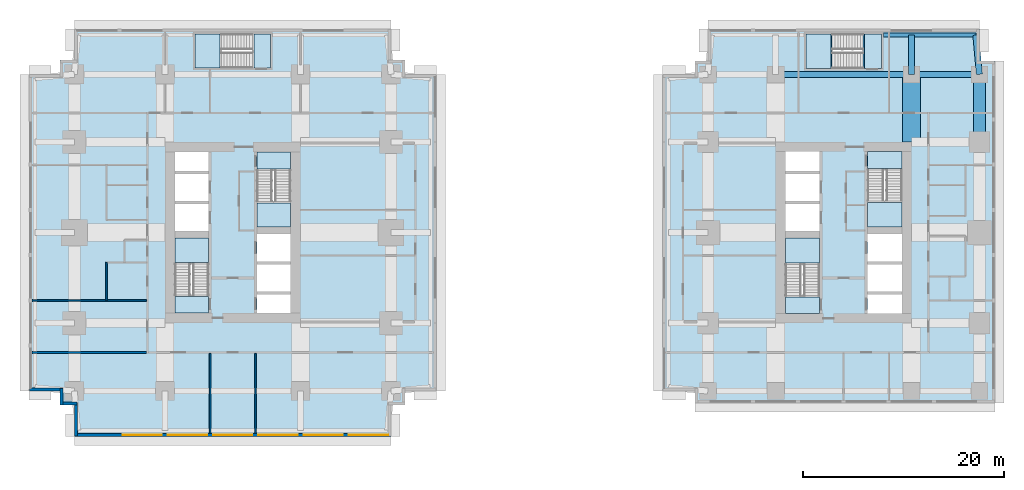
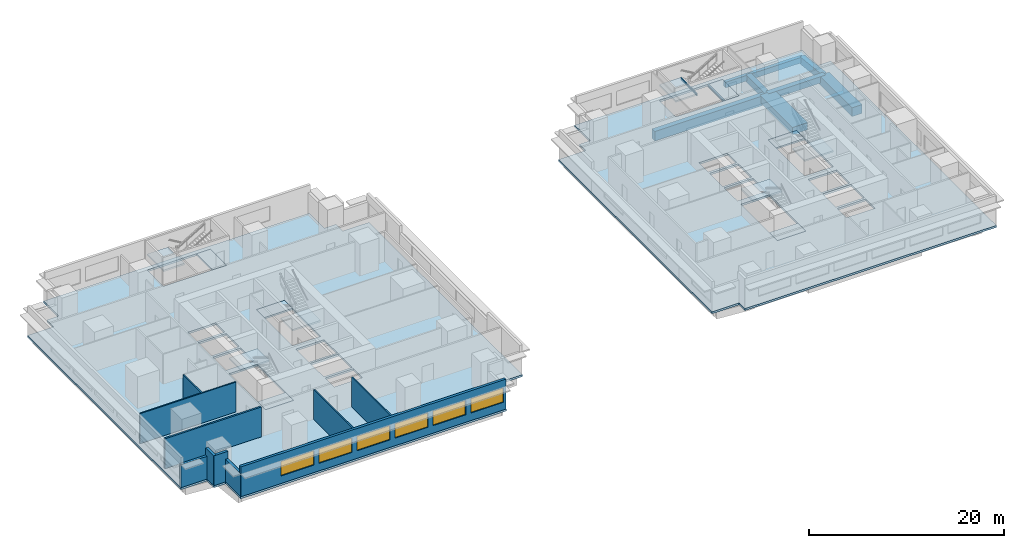
# One storey, part 2 of 11: 14 slabs, 10 walls, 9 beams, 6 windows, 6 openings, 6 elements without a shape of their own.
"""IFC4 building model written with IfcOpenShell, lengths in metres."""

from ifc_helpers import new_model, si_unit, direction, frame, frame_2d, origin, origin_2d, place, context, subcontext, project, spatial, polyline, rectangle, i_section, outline, extrude, material, layer, layer_set, material_profile, profile_set, type_object, element, fill, aggregate, save


model = new_model("IFC4")

# Units and contexts
model_context = context("Model", 3, precision=1e-05, world=origin(), true_north=direction((0.0, 1.0)))
body_context = subcontext(model_context, "Body", "Model", "MODEL_VIEW")
ifc_project = project(units=[si_unit("LENGTHUNIT", "METRE"), si_unit("AREAUNIT", "SQUARE_METRE"), si_unit("VOLUMEUNIT", "CUBIC_METRE"), si_unit("PLANEANGLEUNIT", "RADIAN"), si_unit("MASSUNIT", "GRAM", prefix="KILO")], contexts=[model_context])

# Site, building, storey
site_placement = place(None, origin())
site = spatial("IfcSite", under=ifc_project, at=site_placement, CompositionType="ELEMENT")
building_placement = place(site_placement, origin())
building = spatial("IfcBuilding", under=site, at=building_placement, Name="Namib Vertical Campus", CompositionType="ELEMENT")
storey_placement = place(building_placement, frame((0.0, 0.0, 101.0)))
storey = spatial("IfcBuildingStorey", under=building, at=storey_placement, Name="L23", CompositionType="ELEMENT", Elevation=101.0)

# Beams
ifc_material_1 = material(Name="Concrete C40/50", Category="concrete")
ifc_material_profile_1 = material_profile(ifc_material_1, rectangle(XDim=0.60009765625, YDim=0.89990234375, at=origin_2d()))
ifc_profile_set_1 = profile_set([ifc_material_profile_1], Name="Concrete C40/50")
beam_type_1 = type_object("IfcBeamType", Name="Cantilever girder RC 600x900", PredefinedType="BEAM", material=ifc_profile_set_1)
beam_1_placement = place(storey_placement, frame((87.75, 36.0, -0.699951171875), z_axis=(0.0, 1.0, 0.0), x_axis=(-1.0, 0.0, 0.0)))
element("IfcBeam", 1, at=beam_1_placement, inside=storey, type_object=beam_type_1, Name="Beam B3 L23", PredefinedType="BEAM", context=body_context, shape_type="SweptSolid", body=[
    extrude(rectangle(XDim=0.60009765625, YDim=0.89990234375, at=origin_2d()), origin(), (0.0, 0.0, 1.0), 3.89990234375),
])
beam_2_placement = place(storey_placement, frame((94.5, 36.0, -0.699951171875), z_axis=(-0.089411326146, 0.995994786511, 0.0), x_axis=(-0.995994786511, -0.089411326146, 0.0)))
element("IfcBeam", 2, at=beam_2_placement, inside=storey, type_object=beam_type_1, Name="Beam B3 L23", PredefinedType="BEAM", context=body_context, shape_type="SweptSolid", body=[
    extrude(rectangle(XDim=0.60009765625, YDim=0.89990234375, at=origin_2d()), origin(), (0.0, 0.0, 1.0), 3.91552734375),
])
ifc_material_2 = material(Name="Concrete C40/50", Category="concrete")
ifc_material_profile_2 = material_profile(ifc_material_2, rectangle(XDim=0.39990234375, YDim=0.699951171875, at=origin_2d()))
ifc_profile_set_2 = profile_set([ifc_material_profile_2], Name="Concrete C40/50")
beam_type_2 = type_object("IfcBeamType", Name="Edge beam RC 400x700", PredefinedType="SPANDREL", material=ifc_profile_set_2)
beam_3_placement = place(storey_placement, frame((84.949951171875, 39.89990234375, -0.60009765625), z_axis=(1.0, 0.0, 0.0), x_axis=(0.0, 1.0, 0.0)))
element("IfcBeam", 3, at=beam_3_placement, inside=storey, type_object=beam_type_2, Name="Beam B4 L23", PredefinedType="SPANDREL", context=body_context, shape_type="SweptSolid", body=[
    extrude(rectangle(XDim=0.39990234375, YDim=0.699951171875, at=origin_2d()), origin(), (0.0, 0.0, 1.0), 9.199951171875),
])
ifc_material_3 = material(Name="Concrete C40/50", Category="concrete")
ifc_material_profile_3 = material_profile(ifc_material_3, rectangle(XDim=1.199951171875, YDim=1.10009765625, at=origin_2d()))
ifc_profile_set_3 = profile_set([ifc_material_profile_3], Name="Concrete C40/50")
beam_type_3 = type_object("IfcBeamType", Name="Face ring beam RC 1200x1100", PredefinedType="BEAM", material=ifc_profile_set_3)
beam_4_placement = place(storey_placement, frame((94.5, 29.25, -0.800048828125), z_axis=(0.0, 1.0, 0.0), x_axis=(-1.0, 0.0, 0.0)))
element("IfcBeam", 4, at=beam_4_placement, inside=storey, type_object=beam_type_3, Name="Beam B11 L23", PredefinedType="BEAM", context=body_context, shape_type="SweptSolid", body=[
    extrude(rectangle(XDim=1.199951171875, YDim=1.10009765625, at=origin_2d()), origin(), (0.0, 0.0, 1.0), 6.75),
])
ifc_material_4 = material(Name="Steel S355JR", Category="steel")
ifc_material_profile_4 = material_profile(ifc_material_4, i_section(OverallWidth=0.14599609375, OverallDepth=0.25146484375, WebThickness=0.006103515625, FlangeThickness=0.008544921875, FilletRadius=0.007568359375, at=origin_2d()))
ifc_profile_set_4 = profile_set([ifc_material_profile_4], Name="Steel S355JR")
beam_type_4 = type_object("IfcBeamType", Name="Landing trimmer UB 254x146x31", PredefinedType="BEAM", material=ifc_profile_set_4)
for number, where, z_axis, x_axis, name in (
    (5, (83.02294921875, 36.60009765625, -0.125732421875), (0.0, 1.0, 0.0), (-1.0, 0.0, 0.0), "Landing trimmer LT1 B-S3 L23 1"),
    (6, (79.796875, 36.60009765625, 1.874267578125), (0.0, 1.0, 0.0), (-1.0, 0.0, 0.0), "Landing trimmer LT1 B-S3 L23 2"),
):
    element("IfcBeam", number, at=place(storey_placement, frame(where, z_axis=z_axis, x_axis=x_axis)), inside=storey, type_object=beam_type_4, Name=name, PredefinedType="BEAM", context=body_context, shape_type="SweptSolid", body=[
        extrude(i_section(OverallWidth=0.14599609375, OverallDepth=0.25146484375, WebThickness=0.006103515625, FlangeThickness=0.008544921875, FilletRadius=0.007568359375, at=origin_2d()), origin(), (0.0, 0.0, 1.0), 3.39990234375),
    ])
ifc_material_5 = material(Name="Concrete C40/50", Category="concrete")
ifc_material_profile_5 = material_profile(ifc_material_5, rectangle(XDim=0.60009765625, YDim=1.199951171875, at=origin_2d()))
ifc_profile_set_5 = profile_set([ifc_material_profile_5], Name="Concrete C40/50")
beam_type_5 = type_object("IfcBeamType", Name="Long-span ring beam RC 600x1200", PredefinedType="BEAM", material=ifc_profile_set_5)
beam_5_placement = place(storey_placement, frame((74.25, 36.0, -0.85009765625), z_axis=(1.0, 0.0, 0.0), x_axis=(0.0, 1.0, 0.0)))
element("IfcBeam", 7, at=beam_5_placement, inside=storey, type_object=beam_type_5, Name="Beam B9 L23", PredefinedType="BEAM", context=body_context, shape_type="SweptSolid", body=[
    extrude(rectangle(XDim=0.60009765625, YDim=1.199951171875, at=origin_2d()), origin(), (0.0, 0.0, 1.0), 13.5),
])
ifc_material_6 = material(Name="Concrete C40/50", Category="concrete")
ifc_material_profile_6 = material_profile(ifc_material_6, rectangle(XDim=1.800048828125, YDim=0.89990234375, at=origin_2d()))
ifc_profile_set_6 = profile_set([ifc_material_profile_6], Name="Concrete C40/50")
beam_type_6 = type_object("IfcBeamType", Name="Outrigger line girder RC 1800x900", PredefinedType="BEAM", material=ifc_profile_set_6)
beam_6_placement = place(storey_placement, frame((87.75, 36.0, -0.699951171875), z_axis=(0.0, -1.0, 0.0), x_axis=(1.0, 0.0, 0.0)))
element("IfcBeam", 8, at=beam_6_placement, inside=storey, type_object=beam_type_6, Name="Beam B12 L23", PredefinedType="BEAM", context=body_context, shape_type="SweptSolid", body=[
    extrude(rectangle(XDim=1.800048828125, YDim=0.89990234375, at=origin_2d()), origin(), (0.0, 0.0, 1.0), 6.75),
])
ifc_material_7 = material(Name="Concrete C40/50", Category="concrete")
ifc_material_profile_7 = material_profile(ifc_material_7, rectangle(XDim=0.60009765625, YDim=0.800048828125, at=origin_2d()))
ifc_profile_set_7 = profile_set([ifc_material_profile_7], Name="Concrete C40/50")
beam_type_7 = type_object("IfcBeamType", Name="Ring beam RC 600x800", PredefinedType="BEAM", material=ifc_profile_set_7)
beam_7_placement = place(storey_placement, frame((87.75, 36.0, -0.64990234375), z_axis=(1.0, 0.0, 0.0), x_axis=(0.0, 1.0, 0.0)))
element("IfcBeam", 9, at=beam_7_placement, inside=storey, type_object=beam_type_7, Name="Beam B1 L23", PredefinedType="BEAM", context=body_context, shape_type="SweptSolid", body=[
    extrude(rectangle(XDim=0.60009765625, YDim=0.800048828125, at=origin_2d()), origin(), (0.0, 0.0, 1.0), 6.75),
])

# Slabs
ifc_material_8 = material(Name="Concrete C40/50", Category="concrete")
ifc_layer_1 = layer(ifc_material_8, 0.25)
ifc_layer_set_1 = layer_set([ifc_layer_1], Name="Concrete C40/50")
slab_type_1 = type_object("IfcSlabType", Name="Floor slab 250", PredefinedType="FLOOR", material=ifc_layer_set_1)
slab_1_placement = place(storey_placement, frame((0.0, 0.0, -0.25)))
element("IfcSlab", 10, at=slab_1_placement, inside=storey, type_object=slab_type_1, Name="Floor slab A L23", PredefinedType="FLOOR", context=body_context, shape_type="SweptSolid", body=[
    extrude(outline(polyline([(4.5, 0.0), (36.0, 0.0), (36.0, 3.10009765625), (37.39990234375, 3.10009765625), (37.39990234375, 4.5), (40.5, 4.5), (40.5, 36.0), (37.39990234375, 36.0), (37.39990234375, 37.39990234375), (36.0, 37.39990234375), (36.0, 40.5), (4.5, 40.5), (4.5, 37.39990234375), (3.10009765625, 37.39990234375), (3.10009765625, 36.0), (0.0, 36.0), (0.0, 4.5), (3.10009765625, 4.5), (3.10009765625, 3.10009765625), (4.5, 3.10009765625), (4.5, 0.0)]), holes=[polyline([(14.5, 12.25), (17.85009765625, 12.25), (17.85009765625, 19.699951171875), (14.5, 19.699951171875), (14.5, 12.25)]), polyline([(22.64990234375, 20.800048828125), (26.0, 20.800048828125), (26.0, 28.25), (22.64990234375, 28.25), (22.64990234375, 20.800048828125)]), polyline([(22.64990234375, 12.25), (26.0, 12.25), (26.0, 14.10009765625), (22.64990234375, 14.10009765625), (22.64990234375, 12.25)]), polyline([(14.5, 20.39990234375), (17.85009765625, 20.39990234375), (17.85009765625, 23.10009765625), (14.5, 23.10009765625), (14.5, 20.39990234375)]), polyline([(14.5, 23.39990234375), (17.85009765625, 23.39990234375), (17.85009765625, 26.10009765625), (14.5, 26.10009765625), (14.5, 23.39990234375)]), polyline([(14.5, 26.39990234375), (17.85009765625, 26.39990234375), (17.85009765625, 28.25), (14.5, 28.25), (14.5, 26.39990234375)]), polyline([(22.64990234375, 14.39990234375), (26.0, 14.39990234375), (26.0, 17.10009765625), (22.64990234375, 17.10009765625), (22.64990234375, 14.39990234375)]), polyline([(22.64990234375, 17.39990234375), (26.0, 17.39990234375), (26.0, 20.10009765625), (22.64990234375, 20.10009765625), (22.64990234375, 17.39990234375)]), polyline([(16.5, 36.64990234375), (24.0, 36.64990234375), (24.0, 40.0), (16.5, 40.0), (16.5, 36.64990234375)])]), origin(), (0.0, 0.0, 1.0), 0.25),
])
slab_2_placement = place(storey_placement, frame((0.0, 0.0, -0.25)))
element("IfcSlab", 11, at=slab_2_placement, inside=storey, type_object=slab_type_1, Name="Floor slab B L23", PredefinedType="FLOOR", context=body_context, shape_type="SweptSolid", body=[
    extrude(outline(polyline([(63.0, 4.5), (66.199951171875, 4.5), (66.199951171875, 3.300048828125), (96.050048828125, 3.300048828125), (96.050048828125, 37.300048828125), (94.5, 37.300048828125), (94.5, 40.5), (67.5, 40.5), (67.5, 37.300048828125), (66.199951171875, 37.300048828125), (66.199951171875, 36.0), (63.0, 36.0), (63.0, 4.5)]), holes=[polyline([(75.199951171875, 12.199951171875), (78.60009765625, 12.199951171875), (78.60009765625, 19.699951171875), (75.199951171875, 19.699951171875), (75.199951171875, 12.199951171875)]), polyline([(83.39990234375, 20.800048828125), (86.800048828125, 20.800048828125), (86.800048828125, 28.300048828125), (83.39990234375, 28.300048828125), (83.39990234375, 20.800048828125)]), polyline([(83.39990234375, 12.199951171875), (86.800048828125, 12.199951171875), (86.800048828125, 14.10009765625), (83.39990234375, 14.10009765625), (83.39990234375, 12.199951171875)]), polyline([(75.199951171875, 20.39990234375), (78.60009765625, 20.39990234375), (78.60009765625, 23.10009765625), (75.199951171875, 23.10009765625), (75.199951171875, 20.39990234375)]), polyline([(75.199951171875, 23.39990234375), (78.60009765625, 23.39990234375), (78.60009765625, 26.10009765625), (75.199951171875, 26.10009765625), (75.199951171875, 23.39990234375)]), polyline([(75.199951171875, 26.39990234375), (78.60009765625, 26.39990234375), (78.60009765625, 28.300048828125), (75.199951171875, 28.300048828125), (75.199951171875, 26.39990234375)]), polyline([(83.39990234375, 14.39990234375), (86.800048828125, 14.39990234375), (86.800048828125, 17.10009765625), (83.39990234375, 17.10009765625), (83.39990234375, 14.39990234375)]), polyline([(83.39990234375, 17.39990234375), (86.800048828125, 17.39990234375), (86.800048828125, 20.10009765625), (83.39990234375, 20.10009765625), (83.39990234375, 17.39990234375)]), polyline([(77.25, 36.60009765625), (84.75, 36.60009765625), (84.75, 40.0), (77.25, 40.0), (77.25, 36.60009765625)])]), origin(), (0.0, 0.0, 1.0), 0.25),
])

# Stair, slabs
ifc_material_9 = material(Name="Concrete C40/50 precast", Category="concrete")
stair_type_1 = type_object("IfcStairType", Name="Exit stair 4000 rise 24 risers 3350 wide", PredefinedType="HALF_TURN_STAIR", material=ifc_material_9)
stair_1_placement = place(storey_placement, origin())
stair_1 = element("IfcStair", 12, at=stair_1_placement, inside=storey, type_object=stair_type_1, Name="Exit stair A-S1 L23", PredefinedType="HALF_TURN_STAIR")
ifc_material_10 = material(Name="Concrete C40/50", Category="concrete")
ifc_layer_2 = layer(ifc_material_10, 0.199951171875)
ifc_layer_set_2 = layer_set([ifc_layer_2], Name="Concrete C40/50")
slab_type_2 = type_object("IfcSlabType", Name="Stair landing 200", PredefinedType="LANDING", material=ifc_layer_set_2)
slab_3_placement = place(storey_placement, frame((0.0, 0.0, -0.199951171875)))
slab_3 = element("IfcSlab", 13, at=slab_3_placement, type_object=slab_type_2, Name="A-S1 landing 1", PredefinedType="LANDING", context=body_context, shape_type="SweptSolid", body=[
    extrude(outline(polyline([(14.5, 12.25), (17.85009765625, 12.25), (17.85009765625, 13.90380859375), (14.5, 13.90380859375), (14.5, 12.25)])), origin(), (0.0, 0.0, 1.0), 0.199951171875),
])
slab_4_placement = place(storey_placement, frame((0.0, 0.0, 1.800048828125)))
slab_4 = element("IfcSlab", 14, at=slab_4_placement, type_object=slab_type_2, Name="A-S1 landing 2", PredefinedType="LANDING", context=body_context, shape_type="SweptSolid", body=[
    extrude(outline(polyline([(14.5, 17.276123046875), (17.85009765625, 17.276123046875), (17.85009765625, 19.699951171875), (14.5, 19.699951171875), (14.5, 17.276123046875)])), origin(), (0.0, 0.0, 1.0), 0.199951171875),
])
aggregate(stair_1, [slab_3, slab_4])

stair_2_placement = place(storey_placement, origin())
stair_2 = element("IfcStair", 15, at=stair_2_placement, inside=storey, type_object=stair_type_1, Name="Exit stair A-S2 L23", PredefinedType="HALF_TURN_STAIR")
slab_5_placement = place(storey_placement, frame((0.0, 0.0, -0.199951171875)))
slab_5 = element("IfcSlab", 16, at=slab_5_placement, type_object=slab_type_2, Name="A-S2 landing 1", PredefinedType="LANDING", context=body_context, shape_type="SweptSolid", body=[
    extrude(outline(polyline([(22.64990234375, 26.59619140625), (26.0, 26.59619140625), (26.0, 28.25), (22.64990234375, 28.25), (22.64990234375, 26.59619140625)])), origin(), (0.0, 0.0, 1.0), 0.199951171875),
])
slab_6_placement = place(storey_placement, frame((0.0, 0.0, 1.800048828125)))
slab_6 = element("IfcSlab", 17, at=slab_6_placement, type_object=slab_type_2, Name="A-S2 landing 2", PredefinedType="LANDING", context=body_context, shape_type="SweptSolid", body=[
    extrude(outline(polyline([(22.64990234375, 20.800048828125), (26.0, 20.800048828125), (26.0, 23.223876953125), (22.64990234375, 23.223876953125), (22.64990234375, 20.800048828125)])), origin(), (0.0, 0.0, 1.0), 0.199951171875),
])
aggregate(stair_2, [slab_5, slab_6])

ifc_material_11 = material(Name="Concrete C40/50 precast", Category="concrete")
stair_type_2 = type_object("IfcStairType", Name="Exit stair 4000 rise 24 risers 3400 wide", PredefinedType="HALF_TURN_STAIR", material=ifc_material_11)
stair_3_placement = place(storey_placement, origin())
stair_3 = element("IfcStair", 18, at=stair_3_placement, inside=storey, type_object=stair_type_2, Name="Exit stair B-S1 L23", PredefinedType="HALF_TURN_STAIR")
slab_7_placement = place(storey_placement, frame((0.0, 0.0, -0.199951171875)))
slab_7 = element("IfcSlab", 19, at=slab_7_placement, type_object=slab_type_2, Name="B-S1 landing 1", PredefinedType="LANDING", context=body_context, shape_type="SweptSolid", body=[
    extrude(outline(polyline([(75.199951171875, 12.199951171875), (78.60009765625, 12.199951171875), (78.60009765625, 13.85400390625), (75.199951171875, 13.85400390625), (75.199951171875, 12.199951171875)])), origin(), (0.0, 0.0, 1.0), 0.199951171875),
])
slab_8_placement = place(storey_placement, frame((0.0, 0.0, 1.800048828125)))
slab_8 = element("IfcSlab", 20, at=slab_8_placement, type_object=slab_type_2, Name="B-S1 landing 2", PredefinedType="LANDING", context=body_context, shape_type="SweptSolid", body=[
    extrude(outline(polyline([(75.199951171875, 17.22607421875), (78.60009765625, 17.22607421875), (78.60009765625, 19.699951171875), (75.199951171875, 19.699951171875), (75.199951171875, 17.22607421875)])), origin(), (0.0, 0.0, 1.0), 0.199951171875),
])
aggregate(stair_3, [slab_7, slab_8])

stair_4_placement = place(storey_placement, origin())
stair_4 = element("IfcStair", 21, at=stair_4_placement, inside=storey, type_object=stair_type_2, Name="Exit stair B-S2 L23", PredefinedType="HALF_TURN_STAIR")
slab_9_placement = place(storey_placement, frame((0.0, 0.0, -0.199951171875)))
slab_9 = element("IfcSlab", 22, at=slab_9_placement, type_object=slab_type_2, Name="B-S2 landing 1", PredefinedType="LANDING", context=body_context, shape_type="SweptSolid", body=[
    extrude(outline(polyline([(83.39990234375, 26.64599609375), (86.800048828125, 26.64599609375), (86.800048828125, 28.300048828125), (83.39990234375, 28.300048828125), (83.39990234375, 26.64599609375)])), origin(), (0.0, 0.0, 1.0), 0.199951171875),
])
slab_10_placement = place(storey_placement, frame((0.0, 0.0, 1.800048828125)))
slab_10 = element("IfcSlab", 23, at=slab_10_placement, type_object=slab_type_2, Name="B-S2 landing 2", PredefinedType="LANDING", context=body_context, shape_type="SweptSolid", body=[
    extrude(outline(polyline([(83.39990234375, 20.800048828125), (86.800048828125, 20.800048828125), (86.800048828125, 23.27392578125), (83.39990234375, 23.27392578125), (83.39990234375, 20.800048828125)])), origin(), (0.0, 0.0, 1.0), 0.199951171875),
])
aggregate(stair_4, [slab_9, slab_10])

stair_5_placement = place(storey_placement, origin())
stair_5 = element("IfcStair", 24, at=stair_5_placement, inside=storey, type_object=stair_type_1, Name="Exit stair A-S3 L23", PredefinedType="HALF_TURN_STAIR")
slab_11_placement = place(storey_placement, frame((0.0, 0.0, -0.199951171875)))
slab_11 = element("IfcSlab", 25, at=slab_11_placement, type_object=slab_type_2, Name="A-S3 landing 1", PredefinedType="LANDING", context=body_context, shape_type="SweptSolid", body=[
    extrude(outline(polyline([(22.34619140625, 36.64990234375), (22.34619140625, 40.0), (24.0, 40.0), (24.0, 36.64990234375), (22.34619140625, 36.64990234375)])), origin(), (0.0, 0.0, 1.0), 0.199951171875),
])
slab_12_placement = place(storey_placement, frame((0.0, 0.0, 1.800048828125)))
slab_12 = element("IfcSlab", 26, at=slab_12_placement, type_object=slab_type_2, Name="A-S3 landing 2", PredefinedType="LANDING", context=body_context, shape_type="SweptSolid", body=[
    extrude(outline(polyline([(16.5, 36.64990234375), (16.5, 40.0), (18.973876953125, 40.0), (18.973876953125, 36.64990234375), (16.5, 36.64990234375)])), origin(), (0.0, 0.0, 1.0), 0.199951171875),
])
aggregate(stair_5, [slab_11, slab_12])

stair_6_placement = place(storey_placement, origin())
stair_6 = element("IfcStair", 27, at=stair_6_placement, inside=storey, type_object=stair_type_2, Name="Exit stair B-S3 L23", PredefinedType="HALF_TURN_STAIR")
slab_13_placement = place(storey_placement, frame((0.0, 0.0, -0.199951171875)))
slab_13 = element("IfcSlab", 28, at=slab_13_placement, type_object=slab_type_2, Name="B-S3 landing 1", PredefinedType="LANDING", context=body_context, shape_type="SweptSolid", body=[
    extrude(outline(polyline([(83.09619140625, 36.60009765625), (83.09619140625, 40.0), (84.75, 40.0), (84.75, 36.60009765625), (83.09619140625, 36.60009765625)])), origin(), (0.0, 0.0, 1.0), 0.199951171875),
])
slab_14_placement = place(storey_placement, frame((0.0, 0.0, 1.800048828125)))
slab_14 = element("IfcSlab", 29, at=slab_14_placement, type_object=slab_type_2, Name="B-S3 landing 2", PredefinedType="LANDING", context=body_context, shape_type="SweptSolid", body=[
    extrude(outline(polyline([(77.25, 36.60009765625), (77.25, 40.0), (79.723876953125, 40.0), (79.723876953125, 36.60009765625), (77.25, 36.60009765625)])), origin(), (0.0, 0.0, 1.0), 0.199951171875),
])
aggregate(stair_6, [slab_13, slab_14])

# Wall
ifc_material_12 = material(Name="Concrete masonry", Category="masonry")
ifc_layer_3 = layer(ifc_material_12, 0.199951171875)
ifc_layer_set_3 = layer_set([ifc_layer_3], Name="Corridor wall 200")
wall_type_1 = type_object("IfcWallType", Name="Corridor wall 200", PredefinedType="SOLIDWALL", material=ifc_layer_set_3)
wall_1_placement = place(storey_placement, frame((0.300048828125, 8.35009765625, 0.0), z_axis=(0.0, 0.0, 1.0), x_axis=(1.0, 0.0, 0.0)))
element("IfcWall", 30, at=wall_1_placement, inside=storey, type_object=wall_type_1, Name="Partition A L23 BSW", PredefinedType="SOLIDWALL", context=body_context, shape_type="SweptSolid", body=[
    extrude(rectangle(XDim=11.39990234375, YDim=0.199951171875, at=frame_2d((5.699951171875, 0.0))), origin(), (0.0, 0.0, 1.0), 3.75),
])

# Wall, openings, windows
ifc_material_13 = material(Name="Concrete C40/50", Category="concrete")
ifc_layer_4 = layer(ifc_material_13, 0.300048828125)
ifc_layer_set_4 = layer_set([ifc_layer_4], Name="Concrete C40/50")
wall_type_2 = type_object("IfcWallType", Name="External wall 300 board-marked concrete", PredefinedType="STANDARD", material=ifc_layer_set_4)
wall_2_placement = place(storey_placement, frame((4.52001953125, 0.14990234375, 0.0), z_axis=(0.0, 0.0, 1.0), x_axis=(1.0, 0.0, 0.0)))
wall_2 = element("IfcWall", 31, at=wall_2_placement, inside=storey, type_object=wall_type_2, Name="External wall L23 F01", PredefinedType="STANDARD", context=body_context, shape_type="SweptSolid", body=[
    extrude(rectangle(XDim=31.4599609375, YDim=0.300048828125, at=frame_2d((15.72998046875, 0.0))), origin(), (0.0, 0.0, 1.0), 3.75),
])
opening_1_placement = place(wall_2_placement, frame((4.780029296875, 0.0, 0.949951171875)))
opening_1 = element("IfcOpeningElement", 32, at=opening_1_placement, cuts=wall_2, Name="Opening W3", PredefinedType="OPENING", context=body_context, shape_type="SweptSolid", body=[
    extrude(rectangle(XDim=3.89990234375, YDim=1.800048828125, at=frame_2d((1.949951171875, 0.89990234375))), frame((0.0, 0.159912109375, 0.0), z_axis=(0.0, -1.0, 0.0), x_axis=(1.0, 0.0, 0.0)), (0.0, 0.0, 1.0), 0.320068359375),
])
opening_2_placement = place(wall_2_placement, frame((9.280029296875, 0.0, 0.949951171875)))
opening_2 = element("IfcOpeningElement", 33, at=opening_2_placement, cuts=wall_2, Name="Opening W3", PredefinedType="OPENING", context=body_context, shape_type="SweptSolid", body=[
    extrude(rectangle(XDim=3.89990234375, YDim=1.800048828125, at=frame_2d((1.949951171875, 0.89990234375))), frame((0.0, 0.159912109375, 0.0), z_axis=(0.0, -1.0, 0.0), x_axis=(1.0, 0.0, 0.0)), (0.0, 0.0, 1.0), 0.320068359375),
])
opening_3_placement = place(wall_2_placement, frame((13.780029296875, 0.0, 0.949951171875)))
opening_3 = element("IfcOpeningElement", 34, at=opening_3_placement, cuts=wall_2, Name="Opening W3", PredefinedType="OPENING", context=body_context, shape_type="SweptSolid", body=[
    extrude(rectangle(XDim=3.89990234375, YDim=1.800048828125, at=frame_2d((1.949951171875, 0.89990234375))), frame((0.0, 0.159912109375, 0.0), z_axis=(0.0, -1.0, 0.0), x_axis=(1.0, 0.0, 0.0)), (0.0, 0.0, 1.0), 0.320068359375),
])
opening_4_placement = place(wall_2_placement, frame((18.280029296875, 0.0, 0.949951171875)))
opening_4 = element("IfcOpeningElement", 35, at=opening_4_placement, cuts=wall_2, Name="Opening W3", PredefinedType="OPENING", context=body_context, shape_type="SweptSolid", body=[
    extrude(rectangle(XDim=3.89990234375, YDim=1.800048828125, at=frame_2d((1.949951171875, 0.89990234375))), frame((0.0, 0.159912109375, 0.0), z_axis=(0.0, -1.0, 0.0), x_axis=(1.0, 0.0, 0.0)), (0.0, 0.0, 1.0), 0.320068359375),
])
opening_5_placement = place(wall_2_placement, frame((22.780029296875, 0.0, 0.949951171875)))
opening_5 = element("IfcOpeningElement", 36, at=opening_5_placement, cuts=wall_2, Name="Opening W3", PredefinedType="OPENING", context=body_context, shape_type="SweptSolid", body=[
    extrude(rectangle(XDim=3.89990234375, YDim=1.800048828125, at=frame_2d((1.949951171875, 0.89990234375))), frame((0.0, 0.159912109375, 0.0), z_axis=(0.0, -1.0, 0.0), x_axis=(1.0, 0.0, 0.0)), (0.0, 0.0, 1.0), 0.320068359375),
])
opening_6_placement = place(wall_2_placement, frame((27.280029296875, 0.0, 0.949951171875)))
opening_6 = element("IfcOpeningElement", 37, at=opening_6_placement, cuts=wall_2, Name="Opening W3", PredefinedType="OPENING", context=body_context, shape_type="SweptSolid", body=[
    extrude(rectangle(XDim=3.89990234375, YDim=1.800048828125, at=frame_2d((1.949951171875, 0.89990234375))), frame((0.0, 0.159912109375, 0.0), z_axis=(0.0, -1.0, 0.0), x_axis=(1.0, 0.0, 0.0)), (0.0, 0.0, 1.0), 0.320068359375),
])
ifc_material_14 = material(Name="Dark tinted glass in black aluminium frame", Category="aluminium")
window_type = type_object("IfcWindowType", Name="Ribbon window 3900x1800", PartitioningType="SINGLE_PANEL", PredefinedType="WINDOW", material=ifc_material_14)
window_1_placement = place(opening_1_placement, origin())
window_1 = element("IfcWindow", 38, at=window_1_placement, inside=storey, type_object=window_type, Name="Window W3 L23 F01-2", OverallHeight=1.800048828125, OverallWidth=3.89990234375, PartitioningType="SINGLE_PANEL", PredefinedType="WINDOW", context=body_context, shape_type="SweptSolid", body=[
    extrude(rectangle(XDim=3.89990234375, YDim=1.800048828125, at=frame_2d((1.949951171875, 0.89990234375))), frame((0.0, 0.030029296875, 0.0), z_axis=(0.0, -1.0, 0.0), x_axis=(1.0, 0.0, 0.0)), (0.0, 0.0, 1.0), 0.06005859375),
])
fill(opening_1, window_1)
window_2_placement = place(opening_2_placement, origin())
window_2 = element("IfcWindow", 39, at=window_2_placement, inside=storey, type_object=window_type, Name="Window W3 L23 F01-3", OverallHeight=1.800048828125, OverallWidth=3.89990234375, PartitioningType="SINGLE_PANEL", PredefinedType="WINDOW", context=body_context, shape_type="SweptSolid", body=[
    extrude(rectangle(XDim=3.89990234375, YDim=1.800048828125, at=frame_2d((1.949951171875, 0.89990234375))), frame((0.0, 0.030029296875, 0.0), z_axis=(0.0, -1.0, 0.0), x_axis=(1.0, 0.0, 0.0)), (0.0, 0.0, 1.0), 0.06005859375),
])
fill(opening_2, window_2)
window_3_placement = place(opening_3_placement, origin())
window_3 = element("IfcWindow", 40, at=window_3_placement, inside=storey, type_object=window_type, Name="Window W3 L23 F01-4", OverallHeight=1.800048828125, OverallWidth=3.89990234375, PartitioningType="SINGLE_PANEL", PredefinedType="WINDOW", context=body_context, shape_type="SweptSolid", body=[
    extrude(rectangle(XDim=3.89990234375, YDim=1.800048828125, at=frame_2d((1.949951171875, 0.89990234375))), frame((0.0, 0.030029296875, 0.0), z_axis=(0.0, -1.0, 0.0), x_axis=(1.0, 0.0, 0.0)), (0.0, 0.0, 1.0), 0.06005859375),
])
fill(opening_3, window_3)
window_4_placement = place(opening_4_placement, origin())
window_4 = element("IfcWindow", 41, at=window_4_placement, inside=storey, type_object=window_type, Name="Window W3 L23 F01-5", OverallHeight=1.800048828125, OverallWidth=3.89990234375, PartitioningType="SINGLE_PANEL", PredefinedType="WINDOW", context=body_context, shape_type="SweptSolid", body=[
    extrude(rectangle(XDim=3.89990234375, YDim=1.800048828125, at=frame_2d((1.949951171875, 0.89990234375))), frame((0.0, 0.030029296875, 0.0), z_axis=(0.0, -1.0, 0.0), x_axis=(1.0, 0.0, 0.0)), (0.0, 0.0, 1.0), 0.06005859375),
])
fill(opening_4, window_4)
window_5_placement = place(opening_5_placement, origin())
window_5 = element("IfcWindow", 42, at=window_5_placement, inside=storey, type_object=window_type, Name="Window W3 L23 F01-6", OverallHeight=1.800048828125, OverallWidth=3.89990234375, PartitioningType="SINGLE_PANEL", PredefinedType="WINDOW", context=body_context, shape_type="SweptSolid", body=[
    extrude(rectangle(XDim=3.89990234375, YDim=1.800048828125, at=frame_2d((1.949951171875, 0.89990234375))), frame((0.0, 0.030029296875, 0.0), z_axis=(0.0, -1.0, 0.0), x_axis=(1.0, 0.0, 0.0)), (0.0, 0.0, 1.0), 0.06005859375),
])
fill(opening_5, window_5)
window_6_placement = place(opening_6_placement, origin())
window_6 = element("IfcWindow", 43, at=window_6_placement, inside=storey, type_object=window_type, Name="Window W3 L23 F01-7", OverallHeight=1.800048828125, OverallWidth=3.89990234375, PartitioningType="SINGLE_PANEL", PredefinedType="WINDOW", context=body_context, shape_type="SweptSolid", body=[
    extrude(rectangle(XDim=3.89990234375, YDim=1.800048828125, at=frame_2d((1.949951171875, 0.89990234375))), frame((0.0, 0.030029296875, 0.0), z_axis=(0.0, -1.0, 0.0), x_axis=(1.0, 0.0, 0.0)), (0.0, 0.0, 1.0), 0.06005859375),
])
fill(opening_6, window_6)

# Walls
wall_3_placement = place(storey_placement, frame((0.02001953125, 4.64990234375, 0.0), z_axis=(0.0, 0.0, 1.0), x_axis=(1.0, 0.0, 0.0)))
element("IfcWall", 44, at=wall_3_placement, inside=storey, type_object=wall_type_2, Name="External wall L23 F17", PredefinedType="STANDARD", context=body_context, shape_type="SweptSolid", body=[
    extrude(rectangle(XDim=3.35986328125, YDim=0.300048828125, at=frame_2d((1.679931640625, 0.0))), origin(), (0.0, 0.0, 1.0), 2.85009765625),
])
for number, where, z_axis, x_axis, name in (
    (45, (3.25, 4.780029296875, 0.0), (0.0, 0.0, 1.0), (0.0, -1.0, 0.0), "External wall L23 F18"),
    (46, (3.1201171875, 3.25, 0.0), (0.0, 0.0, 1.0), (1.0, 0.0, 0.0), "External wall L23 F19"),
):
    element("IfcWall", number, at=place(storey_placement, frame(where, z_axis=z_axis, x_axis=x_axis)), inside=storey, type_object=wall_type_2, Name=name, PredefinedType="STANDARD", context=body_context, shape_type="SweptSolid", body=[
        extrude(rectangle(XDim=1.659912109375, YDim=0.300048828125, at=frame_2d((0.830078125, 0.0))), origin(), (0.0, 0.0, 1.0), 3.75),
    ])
wall_4_placement = place(storey_placement, frame((4.64990234375, 3.3798828125, 0.0), z_axis=(0.0, 0.0, 1.0), x_axis=(0.0, -1.0, 0.0)))
element("IfcWall", 47, at=wall_4_placement, inside=storey, type_object=wall_type_2, Name="External wall L23 F20", PredefinedType="STANDARD", context=body_context, shape_type="SweptSolid", body=[
    extrude(rectangle(XDim=3.35986328125, YDim=0.300048828125, at=frame_2d((1.679931640625, 0.0))), origin(), (0.0, 0.0, 1.0), 2.85009765625),
])
ifc_material_15 = material(Name="Gypsum board on steel studs", Category="steel")
ifc_layer_5 = layer(ifc_material_15, 0.14990234375)
ifc_layer_set_5 = layer_set([ifc_layer_5], Name="Gypsum board on steel studs")
wall_type_3 = type_object("IfcWallType", Name="Partition 150", PredefinedType="PARTITIONING", material=ifc_layer_set_5)
for number, where, z_axis, x_axis, name in (
    (48, (18.0, 0.300048828125, 0.0), (0.0, 0.0, 1.0), (0.0, 1.0, 0.0), "Partition A L23 PS1"),
    (49, (22.5, 0.300048828125, 0.0), (0.0, 0.0, 1.0), (0.0, 1.0, 0.0), "Partition A L23 PS2"),
):
    element("IfcWall", number, at=place(storey_placement, frame(where, z_axis=z_axis, x_axis=x_axis)), inside=storey, type_object=wall_type_3, Name=name, PredefinedType="PARTITIONING", context=body_context, shape_type="SweptSolid", body=[
        extrude(rectangle(XDim=7.949951171875, YDim=0.14990234375, at=frame_2d((3.97509765625, 0.0))), origin(), (0.0, 0.0, 1.0), 3.75),
    ])
wall_5_placement = place(storey_placement, frame((0.300048828125, 13.5, 0.0), z_axis=(0.0, 0.0, 1.0), x_axis=(1.0, 0.0, 0.0)))
element("IfcWall", 50, at=wall_5_placement, inside=storey, type_object=wall_type_3, Name="Partition A L23 PW1", PredefinedType="PARTITIONING", context=body_context, shape_type="SweptSolid", body=[
    extrude(rectangle(XDim=11.39990234375, YDim=0.14990234375, at=frame_2d((5.699951171875, 0.0))), origin(), (0.0, 0.0, 1.0), 3.75),
])
wall_6_placement = place(storey_placement, frame((7.699951171875, 13.5, 0.0), z_axis=(0.0, 0.0, 1.0), x_axis=(0.0, 1.0, 0.0)))
element("IfcWall", 51, at=wall_6_placement, inside=storey, type_object=wall_type_3, Name="Partition A L23 WB1", PredefinedType="PARTITIONING", context=body_context, shape_type="SweptSolid", body=[
    extrude(rectangle(XDim=3.800048828125, YDim=0.14990234375, at=frame_2d((1.89990234375, 0.0))), origin(), (0.0, 0.0, 1.0), 3.75),
])

save(model, "model.ifc")
